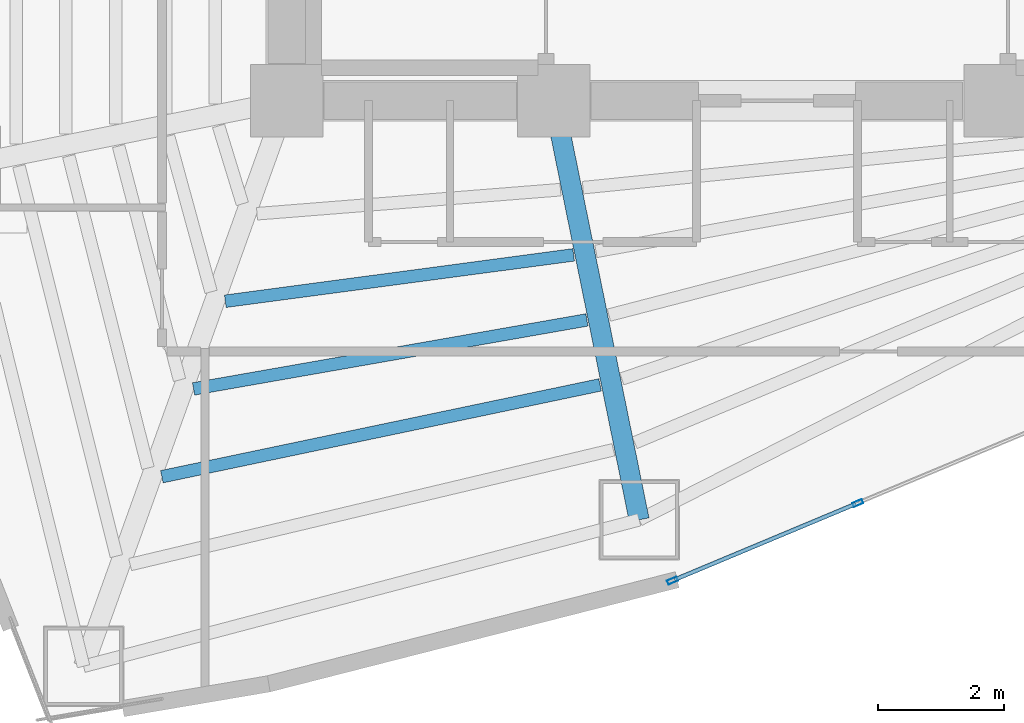
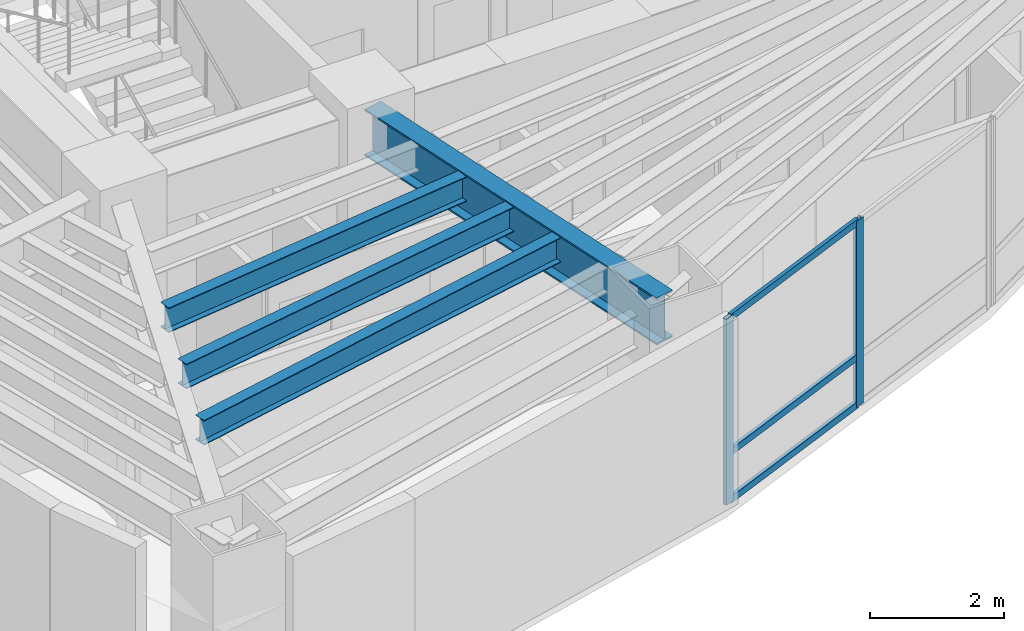
# One storey, part 2 of 16: 5 members, 4 beams, 1 element without a shape of its own.
"""IFC4 building model written with IfcOpenShell, lengths in metres."""

from ifc_helpers import new_model, si_unit, direction, frame, origin, origin_2d, place, context, subcontext, project, spatial, hollow_rectangle, i_section, extrude, material, layer, layer_set, material_profile, profile_set, type_object, element, aggregate, save


model = new_model("IFC4")

# Units and contexts
model_context = context("Model", 3, precision=1e-05, world=origin(), true_north=direction((0.0, 1.0)))
body_context = subcontext(model_context, "Body", "Model", "MODEL_VIEW")
ifc_project = project(units=[si_unit("LENGTHUNIT", "METRE"), si_unit("AREAUNIT", "SQUARE_METRE"), si_unit("VOLUMEUNIT", "CUBIC_METRE"), si_unit("PLANEANGLEUNIT", "RADIAN"), si_unit("MASSUNIT", "GRAM", prefix="KILO")], contexts=[model_context])

# Site, building, storey
site_placement = place(None, origin())
site = spatial("IfcSite", under=ifc_project, at=site_placement, CompositionType="ELEMENT")
building_placement = place(site_placement, origin())
building = spatial("IfcBuilding", under=site, at=building_placement, Name="Menara Vayukalpa", CompositionType="ELEMENT")
storey_placement = place(building_placement, frame((0.0, 0.0, 79.679931640625)))
storey = spatial("IfcBuildingStorey", under=building, at=storey_placement, Name="L19", CompositionType="ELEMENT", Elevation=79.679931640625)

# Beams
ifc_material_1 = material(Name="Steel S355", Category="steel")
ifc_material_profile_1 = material_profile(ifc_material_1, i_section(OverallWidth=0.320068359375, OverallDepth=0.85009765625, WebThickness=0.01611328125, FlangeThickness=0.030029296875, at=origin_2d()), Name="WF 850x320x16x30")
ifc_profile_set_1 = profile_set([ifc_material_profile_1], Name="Steel S355")
beam_type_1 = type_object("IfcBeamType", Name="BM-PG2", PredefinedType="BEAM", material=ifc_profile_set_1)
beam_1_placement = place(storey_placement, frame((22.099853515625, 16.955078125, 2.955078125), z_axis=(0.199617728418, -0.9798738503, 0.0), x_axis=(0.9798738503, 0.199617728418, 0.0)))
element("IfcBeam", 1, at=beam_1_placement, inside=storey, type_object=beam_type_1, Name="L19 Primary Radial Girder RG08", PredefinedType="BEAM", context=body_context, shape_type="SweptSolid", body=[
    extrude(i_section(OverallWidth=0.320068359375, OverallDepth=0.85009765625, WebThickness=0.01611328125, FlangeThickness=0.030029296875, at=origin_2d()), origin(), (0.0, 0.0, 1.0), 6.55419921875),
])
ifc_material_2 = material(Name="Steel S355", Category="steel")
ifc_material_profile_2 = material_profile(ifc_material_2, i_section(OverallWidth=0.199951171875, OverallDepth=0.449951171875, WebThickness=0.009033203125, FlangeThickness=0.013916015625, at=origin_2d()), Name="WF 450x200x9x14")
ifc_profile_set_2 = profile_set([ifc_material_profile_2], Name="Steel S355")
beam_type_2 = type_object("IfcBeamType", Name="BM-SJ1", PredefinedType="JOIST", material=ifc_profile_set_2)
beam_2_placement = place(storey_placement, frame((16.82421875, 14.009521484375, 3.155029296875), z_axis=(0.991248863782, 0.132006401551, 0.0), x_axis=(-0.132006401551, 0.991248863782, 0.0)))
element("IfcBeam", 2, at=beam_2_placement, inside=storey, type_object=beam_type_2, Name="L19 Secondary Floor Joist SJ07-2", PredefinedType="JOIST", context=body_context, shape_type="SweptSolid", body=[
    extrude(i_section(OverallWidth=0.199951171875, OverallDepth=0.449951171875, WebThickness=0.009033203125, FlangeThickness=0.013916015625, at=origin_2d()), origin(), (0.0, 0.0, 1.0), 5.5908203125),
])
beam_3_placement = place(storey_placement, frame((16.319580078125, 12.61474609375, 3.155029296875), z_axis=(0.984953696719, 0.172818446123, 0.0), x_axis=(-0.172818446123, 0.984953696719, 0.0)))
element("IfcBeam", 3, at=beam_3_placement, inside=storey, type_object=beam_type_2, Name="L19 Secondary Floor Joist SJ07-3", PredefinedType="JOIST", context=body_context, shape_type="SweptSolid", body=[
    extrude(i_section(OverallWidth=0.199951171875, OverallDepth=0.449951171875, WebThickness=0.009033203125, FlangeThickness=0.013916015625, at=origin_2d()), origin(), (0.0, 0.0, 1.0), 6.35302734375),
])
beam_4_placement = place(storey_placement, frame((15.815185546875, 11.218505859375, 3.155029296875), z_axis=(0.978749690575, 0.205058633565, 0.0), x_axis=(-0.205058633565, 0.978749690575, 0.0)))
element("IfcBeam", 4, at=beam_4_placement, inside=storey, type_object=beam_type_2, Name="L19 Secondary Floor Joist SJ07-4", PredefinedType="JOIST", context=body_context, shape_type="SweptSolid", body=[
    extrude(i_section(OverallWidth=0.199951171875, OverallDepth=0.449951171875, WebThickness=0.009033203125, FlangeThickness=0.013916015625, at=origin_2d()), origin(), (0.0, 0.0, 1.0), 7.123291015625),
])

# Curtain wall, members
ifc_material_3 = material(Name="Anodised Terracotta Aluminium Alloy 6063-T6", Category="masonry")
ifc_layer = layer(ifc_material_3, 0.1650390625)
ifc_layer_set = layer_set([ifc_layer], Name="Anodised Terracotta Aluminium Alloy 6063-T6")
curtain_wall_type = type_object("IfcCurtainWallType", Name="CW-CW2", PredefinedType="USERDEFINED", material=ifc_layer_set)
curtain_wall_placement = place(storey_placement, origin())
curtain_wall = element("IfcCurtainWall", 5, at=curtain_wall_placement, inside=storey, type_object=curtain_wall_type, Name="L19 Low Rise Terracotta Ribbon Curtain Wall CW2 16", ObjectType="UNITISED", PredefinedType="USERDEFINED")
ifc_material_4 = material(Name="Anodised Terracotta Aluminium Alloy 6063-T6", Category="masonry")
ifc_material_profile_3 = material_profile(ifc_material_4, hollow_rectangle(XDim=0.070068359375, YDim=0.1650390625, WallThickness=0.00390625, at=origin_2d()), Name="ALU 70x165x4")
ifc_profile_set_3 = profile_set([ifc_material_profile_3], Name="Anodised Terracotta Aluminium Alloy 6063-T6")
member_type_1 = type_object("IfcMemberType", Name="CWM-CW2", PredefinedType="MULLION", material=ifc_profile_set_3)
member_1_placement = place(storey_placement, frame((23.939697265625, 9.56591796875, 0.0), z_axis=(0.0, 0.0, 1.0), x_axis=(-0.38589358437, 0.922543300632, 0.0)))
member_1 = element("IfcMember", 6, at=member_1_placement, type_object=member_type_1, Name="CW2 mullion 1", PredefinedType="MULLION", context=body_context, shape_type="SweptSolid", body=[
    extrude(hollow_rectangle(XDim=0.070068359375, YDim=0.1650390625, WallThickness=0.00390625, at=origin_2d()), origin(), (0.0, 0.0, 1.0), 3.380126953125),
])
member_2_placement = place(storey_placement, frame((26.88671875, 10.798583984375, 0.0), z_axis=(0.0, 0.0, 1.0), x_axis=(-0.38589358437, 0.922543300632, 0.0)))
member_2 = element("IfcMember", 7, at=member_2_placement, type_object=member_type_1, Name="CW2 mullion 2", PredefinedType="MULLION", context=body_context, shape_type="SweptSolid", body=[
    extrude(hollow_rectangle(XDim=0.070068359375, YDim=0.1650390625, WallThickness=0.00390625, at=origin_2d()), origin(), (0.0, 0.0, 1.0), 3.380126953125),
])
ifc_material_5 = material(Name="Anodised Terracotta Aluminium Alloy 6063-T6", Category="masonry")
ifc_material_profile_4 = material_profile(ifc_material_5, hollow_rectangle(XDim=0.06494140625, YDim=0.1201171875, WallThickness=0.00341796875, at=origin_2d()), Name="ALU 65x120x3.5")
ifc_profile_set_4 = profile_set([ifc_material_profile_4], Name="Anodised Terracotta Aluminium Alloy 6063-T6")
member_type_2 = type_object("IfcMemberType", Name="CWT-CW2", PredefinedType="USERDEFINED", material=ifc_profile_set_4)
member_3_placement = place(storey_placement, frame((23.971923828125, 9.579345703125, 0.032470703125), z_axis=(0.922525759021, 0.385935517856, 0.0), x_axis=(-0.385935517856, 0.922525759021, 0.0)))
member_3 = element("IfcMember", 8, at=member_3_placement, type_object=member_type_2, Name="CW2 transom 1.1", ObjectType="TRANSOM", PredefinedType="USERDEFINED", context=body_context, shape_type="SweptSolid", body=[
    extrude(hollow_rectangle(XDim=0.06494140625, YDim=0.1201171875, WallThickness=0.00341796875, at=origin_2d()), origin(), (0.0, 0.0, 1.0), 3.124267578125),
])
member_4_placement = place(storey_placement, frame((23.971923828125, 9.579345703125, 0.900146484375), z_axis=(0.922525759021, 0.385935517856, 0.0), x_axis=(-0.385935517856, 0.922525759021, 0.0)))
member_4 = element("IfcMember", 9, at=member_4_placement, type_object=member_type_2, Name="CW2 transom 1.2", ObjectType="TRANSOM", PredefinedType="USERDEFINED", context=body_context, shape_type="SweptSolid", body=[
    extrude(hollow_rectangle(XDim=0.06494140625, YDim=0.1201171875, WallThickness=0.00341796875, at=origin_2d()), origin(), (0.0, 0.0, 1.0), 3.124267578125),
])
member_5_placement = place(storey_placement, frame((23.971923828125, 9.579345703125, 3.34765625), z_axis=(0.922525759021, 0.385935517856, 0.0), x_axis=(-0.385935517856, 0.922525759021, 0.0)))
member_5 = element("IfcMember", 10, at=member_5_placement, type_object=member_type_2, Name="CW2 transom 1.3", ObjectType="TRANSOM", PredefinedType="USERDEFINED", context=body_context, shape_type="SweptSolid", body=[
    extrude(hollow_rectangle(XDim=0.06494140625, YDim=0.1201171875, WallThickness=0.00341796875, at=origin_2d()), origin(), (0.0, 0.0, 1.0), 3.124267578125),
])
aggregate(curtain_wall, [member_1, member_2, member_3, member_4, member_5])

save(model, "model.ifc")
